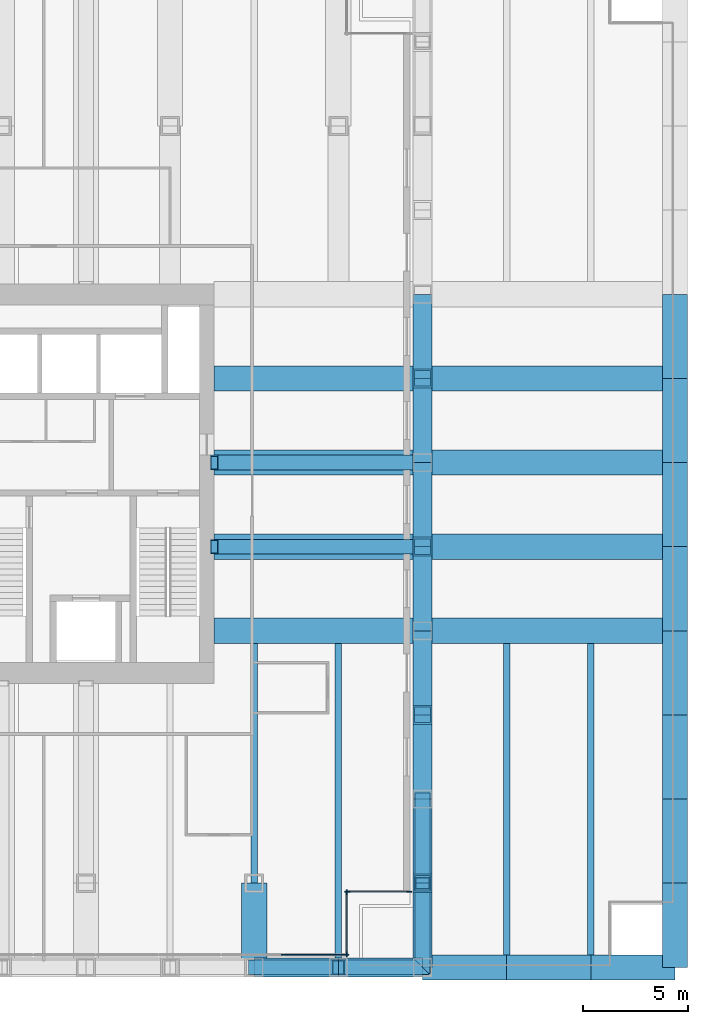
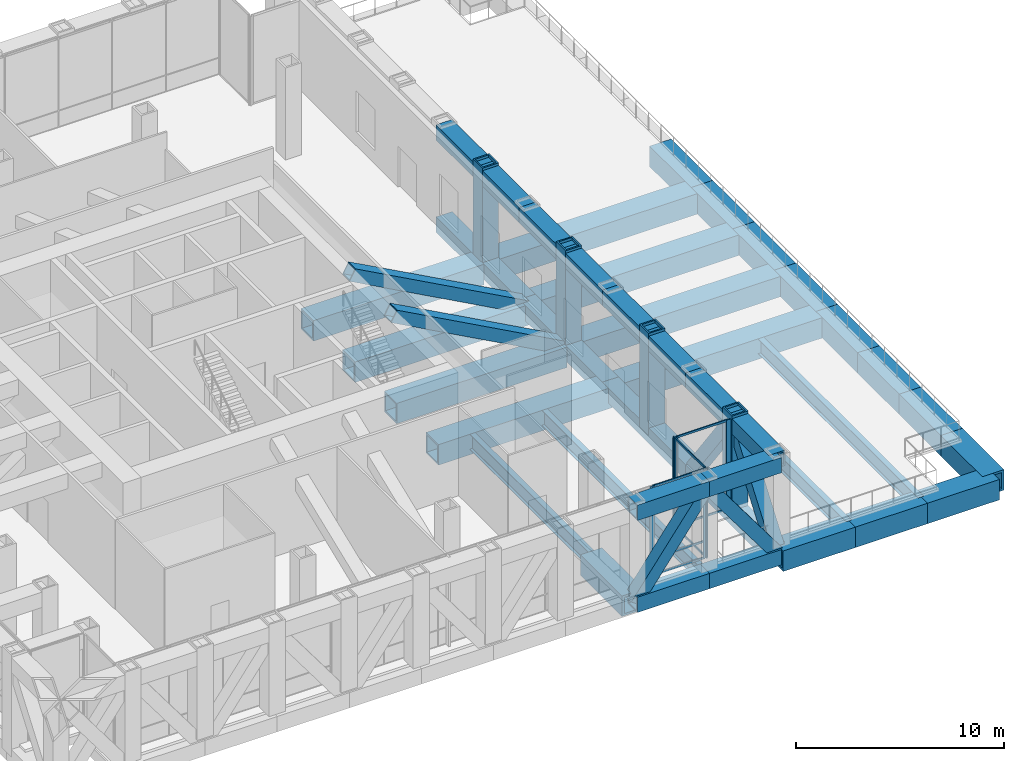
# One storey, part 5 of 13: 40 beams, 23 members, 3 elements without a shape of their own.
"""IFC4 building model written with IfcOpenShell, lengths in metres."""

from ifc_helpers import new_model, si_unit, direction, frame, origin, origin_2d, place, context, subcontext, project, spatial, rectangle, hollow_rectangle, i_section, extrude, material, material_profile, profile_set, type_object, element, aggregate, save


model = new_model("IFC4")

# Units and contexts
model_context = context("Model", 3, precision=1e-05, world=origin(), true_north=direction((0.0, 1.0)))
body_context = subcontext(model_context, "Body", "Model", "MODEL_VIEW")
ifc_project = project(units=[si_unit("LENGTHUNIT", "METRE"), si_unit("AREAUNIT", "SQUARE_METRE"), si_unit("VOLUMEUNIT", "CUBIC_METRE"), si_unit("PLANEANGLEUNIT", "RADIAN"), si_unit("MASSUNIT", "GRAM", prefix="KILO")], contexts=[model_context])

# Site, building, storey
site_placement = place(None, origin())
site = spatial("IfcSite", under=ifc_project, at=site_placement, CompositionType="ELEMENT")
building_placement = place(site_placement, origin())
building = spatial("IfcBuilding", under=site, at=building_placement, Name="Rimbunsela Tower", CompositionType="ELEMENT")
storey_placement = place(building_placement, frame((0.0, 0.0, 137.39990234375)))
storey = spatial("IfcBuildingStorey", under=building, at=storey_placement, Name="L33", CompositionType="ELEMENT", Elevation=137.39990234375)

# Beams
ifc_material_1 = material(Name="Steel BJ 55 (fy 410 MPa)", Category="steel")
ifc_material_profile_1 = material_profile(ifc_material_1, hollow_rectangle(XDim=1.199951171875, YDim=1.199951171875, WallThickness=0.10009765625, at=origin_2d()), Name="BOX 1200x1200x100")
ifc_profile_set_1 = profile_set([ifc_material_profile_1], Name="Steel BJ 55 (fy 410 MPa)")
beam_type_1 = type_object("IfcBeamType", Name="Beam BOX 1200x1200x100", PredefinedType="BEAM", material=ifc_profile_set_1)
beam_1_placement = place(storey_placement, frame((36.10009765625, 20.0, -0.75), z_axis=(1.0, 0.0, 0.0), x_axis=(0.0, 1.0, 0.0)))
element("IfcBeam", 1, at=beam_1_placement, inside=storey, type_object=beam_type_1, Name="Beam B5 L33", PredefinedType="BEAM", context=body_context, shape_type="SweptSolid", body=[
    extrude(hollow_rectangle(XDim=1.199951171875, YDim=1.199951171875, WallThickness=0.10009765625, at=origin_2d()), origin(), (0.0, 0.0, 1.0), 9.89990234375),
])
beam_2_placement = place(storey_placement, frame((36.10009765625, 24.0, -0.75), z_axis=(1.0, 0.0, 0.0), x_axis=(0.0, 1.0, 0.0)))
element("IfcBeam", 2, at=beam_2_placement, inside=storey, type_object=beam_type_1, Name="Beam B5 L33", PredefinedType="BEAM", context=body_context, shape_type="SweptSolid", body=[
    extrude(hollow_rectangle(XDim=1.199951171875, YDim=1.199951171875, WallThickness=0.10009765625, at=origin_2d()), origin(), (0.0, 0.0, 1.0), 9.449951171875),
])
beam_3_placement = place(storey_placement, frame((36.10009765625, 28.0, -0.75), z_axis=(1.0, 0.0, 0.0), x_axis=(0.0, 1.0, 0.0)))
element("IfcBeam", 3, at=beam_3_placement, inside=storey, type_object=beam_type_1, Name="Beam B5 L33", PredefinedType="BEAM", context=body_context, shape_type="SweptSolid", body=[
    extrude(hollow_rectangle(XDim=1.199951171875, YDim=1.199951171875, WallThickness=0.10009765625, at=origin_2d()), origin(), (0.0, 0.0, 1.0), 9.89990234375),
])
beam_4_placement = place(storey_placement, frame((36.10009765625, 32.0, -0.75), z_axis=(1.0, 0.0, 0.0), x_axis=(0.0, 1.0, 0.0)))
element("IfcBeam", 4, at=beam_4_placement, inside=storey, type_object=beam_type_1, Name="Beam B5 L33", PredefinedType="BEAM", context=body_context, shape_type="SweptSolid", body=[
    extrude(hollow_rectangle(XDim=1.199951171875, YDim=1.199951171875, WallThickness=0.10009765625, at=origin_2d()), origin(), (0.0, 0.0, 1.0), 9.449951171875),
])
beam_5_placement = place(storey_placement, frame((46.0, 20.0, -0.75), z_axis=(1.0, 0.0, 0.0), x_axis=(0.0, 1.0, 0.0)))
element("IfcBeam", 5, at=beam_5_placement, inside=storey, type_object=beam_type_1, Name="Beam B5 L33", PredefinedType="BEAM", context=body_context, shape_type="SweptSolid", body=[
    extrude(hollow_rectangle(XDim=1.199951171875, YDim=1.199951171875, WallThickness=0.10009765625, at=origin_2d()), origin(), (0.0, 0.0, 1.0), 12.0),
])
beam_6_placement = place(storey_placement, frame((46.449951171875, 24.0, -0.75), z_axis=(1.0, 0.0, 0.0), x_axis=(0.0, 1.0, 0.0)))
element("IfcBeam", 6, at=beam_6_placement, inside=storey, type_object=beam_type_1, Name="Beam B5 L33", PredefinedType="BEAM", context=body_context, shape_type="SweptSolid", body=[
    extrude(hollow_rectangle(XDim=1.199951171875, YDim=1.199951171875, WallThickness=0.10009765625, at=origin_2d()), origin(), (0.0, 0.0, 1.0), 11.550048828125),
])
beam_7_placement = place(storey_placement, frame((46.0, 28.0, -0.75), z_axis=(1.0, 0.0, 0.0), x_axis=(0.0, 1.0, 0.0)))
element("IfcBeam", 7, at=beam_7_placement, inside=storey, type_object=beam_type_1, Name="Beam B5 L33", PredefinedType="BEAM", context=body_context, shape_type="SweptSolid", body=[
    extrude(hollow_rectangle(XDim=1.199951171875, YDim=1.199951171875, WallThickness=0.10009765625, at=origin_2d()), origin(), (0.0, 0.0, 1.0), 12.0),
])
beam_8_placement = place(storey_placement, frame((46.449951171875, 32.0, -0.75), z_axis=(1.0, 0.0, 0.0), x_axis=(0.0, 1.0, 0.0)))
element("IfcBeam", 8, at=beam_8_placement, inside=storey, type_object=beam_type_1, Name="Beam B5 L33", PredefinedType="BEAM", context=body_context, shape_type="SweptSolid", body=[
    extrude(hollow_rectangle(XDim=1.199951171875, YDim=1.199951171875, WallThickness=0.10009765625, at=origin_2d()), origin(), (0.0, 0.0, 1.0), 11.550048828125),
])
ifc_material_2 = material(Name="Steel BJ 55 (fy 410 MPa)", Category="steel")
ifc_material_profile_2 = material_profile(ifc_material_2, hollow_rectangle(XDim=1.199951171875, YDim=1.199951171875, WallThickness=0.125, at=origin_2d()), Name="BOX 1200x1200x125")
ifc_profile_set_2 = profile_set([ifc_material_profile_2], Name="Steel BJ 55 (fy 410 MPa)")
beam_type_2 = type_object("IfcBeamType", Name="Beam BOX 1200x1200x125", PredefinedType="BEAM", material=ifc_profile_set_2)
for number, where, z_axis, x_axis, name in (
    (9, (38.0, 4.0, -0.75), (0.0, 1.0, 0.0), (-1.0, 0.0, 0.0), "Beam B4 L33"),
    (10, (46.0, 4.0, -0.75), (1.0, 0.0, 0.0), (0.0, 1.0, 0.0), "Beam B4 L33"),
    (11, (50.0, 4.0, -0.75), (1.0, 0.0, 0.0), (0.0, 1.0, 0.0), "Beam B4 L33"),
    (12, (54.0, 4.0, -0.75), (1.0, 0.0, 0.0), (0.0, 1.0, 0.0), "Beam B4 L33"),
    (13, (58.0, 4.0, -0.75), (0.0, 1.0, 0.0), (-1.0, 0.0, 0.0), "Beam B4 L33"),
    (14, (58.0, 8.0, -0.75), (0.0, 1.0, 0.0), (-1.0, 0.0, 0.0), "Beam B4 L33"),
    (15, (58.0, 12.0, -0.75), (0.0, 1.0, 0.0), (-1.0, 0.0, 0.0), "Beam B4 L33"),
    (16, (58.0, 16.0, -0.75), (0.0, 1.0, 0.0), (-1.0, 0.0, 0.0), "Beam B4 L33"),
    (17, (58.0, 20.0, -0.75), (0.0, 1.0, 0.0), (-1.0, 0.0, 0.0), "Beam B4 L33"),
    (18, (58.0, 24.0, -0.75), (0.0, 1.0, 0.0), (-1.0, 0.0, 0.0), "Beam B4 L33"),
    (19, (58.0, 28.0, -0.75), (0.0, 1.0, 0.0), (-1.0, 0.0, 0.0), "Beam B4 L33"),
    (20, (58.0, 32.0, -0.75), (0.0, 1.0, 0.0), (-1.0, 0.0, 0.0), "Beam B4 L33"),
):
    element("IfcBeam", number, at=place(storey_placement, frame(where, z_axis=z_axis, x_axis=x_axis)), inside=storey, type_object=beam_type_2, Name=name, PredefinedType="BEAM", context=body_context, shape_type="SweptSolid", body=[
        extrude(hollow_rectangle(XDim=1.199951171875, YDim=1.199951171875, WallThickness=0.125, at=origin_2d()), origin(), (0.0, 0.0, 1.0), 4.0),
    ])
ifc_material_3 = material(Name="Steel BJ 55 (fy 410 MPa)", Category="steel")
ifc_material_profile_3 = material_profile(ifc_material_3, i_section(OverallWidth=0.300048828125, OverallDepth=0.89990234375, WebThickness=0.01611328125, FlangeThickness=0.028076171875, FilletRadius=0.028076171875, at=origin_2d()), Name="H 900x300x16x28")
ifc_profile_set_3 = profile_set([ifc_material_profile_3], Name="Steel BJ 55 (fy 410 MPa)")
beam_type_3 = type_object("IfcBeamType", Name="Beam H 900x300x16x28", PredefinedType="BEAM", material=ifc_profile_set_3)
beam_9_placement = place(storey_placement, frame((38.0, 8.0, -0.599853515625), z_axis=(0.0, 1.0, 0.0), x_axis=(-1.0, 0.0, 0.0)))
element("IfcBeam", 21, at=beam_9_placement, inside=storey, type_object=beam_type_3, Name="Beam B2 L33", PredefinedType="BEAM", context=body_context, shape_type="SweptSolid", body=[
    extrude(i_section(OverallWidth=0.300048828125, OverallDepth=0.89990234375, WebThickness=0.01611328125, FlangeThickness=0.028076171875, FilletRadius=0.028076171875, at=origin_2d()), origin(), (0.0, 0.0, 1.0), 11.39990234375),
])
for number, where, z_axis, x_axis, name in (
    (22, (42.0, 4.0, -0.599853515625), (0.0, 1.0, 0.0), (-1.0, 0.0, 0.0), "Beam B2 L33"),
    (23, (50.0, 4.0, -0.599853515625), (0.0, 1.0, 0.0), (-1.0, 0.0, 0.0), "Beam B2 L33"),
    (24, (54.0, 4.0, -0.599853515625), (0.0, 1.0, 0.0), (-1.0, 0.0, 0.0), "Beam B2 L33"),
):
    element("IfcBeam", number, at=place(storey_placement, frame(where, z_axis=z_axis, x_axis=x_axis)), inside=storey, type_object=beam_type_3, Name=name, PredefinedType="BEAM", context=body_context, shape_type="SweptSolid", body=[
        extrude(i_section(OverallWidth=0.300048828125, OverallDepth=0.89990234375, WebThickness=0.01611328125, FlangeThickness=0.028076171875, FilletRadius=0.028076171875, at=origin_2d()), origin(), (0.0, 0.0, 1.0), 15.39990234375),
    ])

# Curtain wall, members
ifc_material_4 = material(Name="Aluminium curtain wall", Category="aluminium")
curtain_wall_type_1 = type_object("IfcCurtainWallType", Name="Corner glazing", PredefinedType="USERDEFINED", material=ifc_material_4)
curtain_wall_1_placement = place(storey_placement, origin())
curtain_wall_1 = element("IfcCurtainWall", 25, at=curtain_wall_1_placement, inside=storey, type_object=curtain_wall_type_1, Name="Corner glazing L33", ObjectType="CORNER GLAZING", PredefinedType="USERDEFINED")
ifc_material_5 = material(Name="Aluminium mullion", Category="aluminium")
ifc_material_profile_4 = material_profile(ifc_material_5, rectangle(XDim=0.06005859375, YDim=0.25, at=origin_2d()), Name="Mullion 60x250")
ifc_profile_set_4 = profile_set([ifc_material_profile_4], Name="Aluminium mullion")
member_type_1 = type_object("IfcMemberType", Name="Curtain wall mullion 60x250", PredefinedType="MULLION", material=ifc_profile_set_4)
member_1_placement = place(storey_placement, frame((42.39990234375, 4.6298828125, 0.0), z_axis=(0.0, 0.0, 1.0), x_axis=(-1.0, 0.0, 0.0)))
member_1 = element("IfcMember", 26, at=member_1_placement, type_object=member_type_1, Name="CW5 mullion 1", PredefinedType="MULLION", context=body_context, shape_type="SweptSolid", body=[
    extrude(rectangle(XDim=0.06005859375, YDim=0.25, at=origin_2d()), origin(), (0.0, 0.0, 1.0), 5.25),
])
member_2_placement = place(storey_placement, frame((42.39990234375, 7.570068359375, 0.0), z_axis=(0.0, 0.0, 1.0), x_axis=(-1.0, 0.0, 0.0)))
member_2 = element("IfcMember", 27, at=member_2_placement, type_object=member_type_1, Name="CW5 mullion 2", PredefinedType="MULLION", context=body_context, shape_type="SweptSolid", body=[
    extrude(rectangle(XDim=0.06005859375, YDim=0.25, at=origin_2d()), origin(), (0.0, 0.0, 1.0), 5.25),
])

curtain_wall_2_placement = place(storey_placement, origin())
curtain_wall_2 = element("IfcCurtainWall", 28, at=curtain_wall_2_placement, inside=storey, type_object=curtain_wall_type_1, Name="Corner glazing L33", ObjectType="CORNER GLAZING", PredefinedType="USERDEFINED")
member_3_placement = place(storey_placement, frame((42.429931640625, 7.60009765625, 0.0), z_axis=(0.0, 0.0, 1.0), x_axis=(0.0, 1.0, 0.0)))
member_3 = element("IfcMember", 29, at=member_3_placement, type_object=member_type_1, Name="CW5 mullion 1", PredefinedType="MULLION", context=body_context, shape_type="SweptSolid", body=[
    extrude(rectangle(XDim=0.06005859375, YDim=0.25, at=origin_2d()), origin(), (0.0, 0.0, 1.0), 5.25),
])
member_4_placement = place(storey_placement, frame((45.3701171875, 7.60009765625, 0.0), z_axis=(0.0, 0.0, 1.0), x_axis=(0.0, 1.0, 0.0)))
member_4 = element("IfcMember", 30, at=member_4_placement, type_object=member_type_1, Name="CW5 mullion 2", PredefinedType="MULLION", context=body_context, shape_type="SweptSolid", body=[
    extrude(rectangle(XDim=0.06005859375, YDim=0.25, at=origin_2d()), origin(), (0.0, 0.0, 1.0), 5.25),
])

ifc_material_6 = material(Name="Aluminium curtain wall", Category="aluminium")
curtain_wall_type_2 = type_object("IfcCurtainWallType", Name="Plant floor louvre wall", PredefinedType="USERDEFINED", material=ifc_material_6)
curtain_wall_3_placement = place(storey_placement, origin())
curtain_wall_3 = element("IfcCurtainWall", 31, at=curtain_wall_3_placement, inside=storey, type_object=curtain_wall_type_2, Name="Plant floor louvre wall L33", ObjectType="PLANT FLOOR LOUVRE WALL", PredefinedType="USERDEFINED")
member_5_placement = place(storey_placement, frame((39.418212890625, 4.60009765625, 0.0), z_axis=(0.0, 0.0, 1.0), x_axis=(0.0, 1.0, 0.0)))
member_5 = element("IfcMember", 32, at=member_5_placement, type_object=member_type_1, Name="CW3 mullion 11", PredefinedType="MULLION", context=body_context, shape_type="SweptSolid", body=[
    extrude(rectangle(XDim=0.06005859375, YDim=0.25, at=origin_2d()), origin(), (0.0, 0.0, 1.0), 5.25),
])
member_6_placement = place(storey_placement, frame((42.3701171875, 4.60009765625, 0.0), z_axis=(0.0, 0.0, 1.0), x_axis=(0.0, 1.0, 0.0)))
member_6 = element("IfcMember", 33, at=member_6_placement, type_object=member_type_1, Name="CW3 mullion 12", PredefinedType="MULLION", context=body_context, shape_type="SweptSolid", body=[
    extrude(rectangle(XDim=0.06005859375, YDim=0.25, at=origin_2d()), origin(), (0.0, 0.0, 1.0), 5.25),
])

# Member
ifc_material_7 = material(Name="Aluminium transom", Category="aluminium")
ifc_material_profile_5 = material_profile(ifc_material_7, rectangle(XDim=0.06005859375, YDim=0.1201171875, at=origin_2d()), Name="Transom 60x120")
ifc_profile_set_5 = profile_set([ifc_material_profile_5], Name="Aluminium transom")
member_type_2 = type_object("IfcMemberType", Name="Curtain wall transom 60x120", PredefinedType="USERDEFINED", material=ifc_profile_set_5)
member_7_placement = place(storey_placement, frame((42.39990234375, 4.659912109375, 0.030029296875), z_axis=(0.0, 1.0, 0.0), x_axis=(-1.0, 0.0, 0.0)))
member_7 = element("IfcMember", 34, at=member_7_placement, type_object=member_type_2, Name="CW5 transom 1.1", ObjectType="TRANSOM", PredefinedType="USERDEFINED", context=body_context, shape_type="SweptSolid", body=[
    extrude(rectangle(XDim=0.06005859375, YDim=0.1201171875, at=origin_2d()), origin(), (0.0, 0.0, 1.0), 2.880126953125),
])

member_8_placement = place(storey_placement, frame((42.39990234375, 4.659912109375, 5.22021484375), z_axis=(0.0, 1.0, 0.0), x_axis=(-1.0, 0.0, 0.0)))
member_8 = element("IfcMember", 35, at=member_8_placement, type_object=member_type_2, Name="CW5 transom 1.2", ObjectType="TRANSOM", PredefinedType="USERDEFINED", context=body_context, shape_type="SweptSolid", body=[
    extrude(rectangle(XDim=0.06005859375, YDim=0.1201171875, at=origin_2d()), origin(), (0.0, 0.0, 1.0), 2.880126953125),
])

aggregate(curtain_wall_1, [member_1, member_2, member_7, member_8])

member_9_placement = place(storey_placement, frame((42.4599609375, 7.60009765625, 0.030029296875), z_axis=(1.0, 0.0, 0.0), x_axis=(0.0, 1.0, 0.0)))
member_9 = element("IfcMember", 36, at=member_9_placement, type_object=member_type_2, Name="CW5 transom 1.1", ObjectType="TRANSOM", PredefinedType="USERDEFINED", context=body_context, shape_type="SweptSolid", body=[
    extrude(rectangle(XDim=0.06005859375, YDim=0.1201171875, at=origin_2d()), origin(), (0.0, 0.0, 1.0), 2.880126953125),
])

member_10_placement = place(storey_placement, frame((42.4599609375, 7.60009765625, 5.22021484375), z_axis=(1.0, 0.0, 0.0), x_axis=(0.0, 1.0, 0.0)))
member_10 = element("IfcMember", 37, at=member_10_placement, type_object=member_type_2, Name="CW5 transom 1.2", ObjectType="TRANSOM", PredefinedType="USERDEFINED", context=body_context, shape_type="SweptSolid", body=[
    extrude(rectangle(XDim=0.06005859375, YDim=0.1201171875, at=origin_2d()), origin(), (0.0, 0.0, 1.0), 2.880126953125),
])

aggregate(curtain_wall_2, [member_3, member_4, member_9, member_10])

member_11_placement = place(storey_placement, frame((39.4482421875, 4.60009765625, 0.030029296875), z_axis=(1.0, 0.0, 0.0), x_axis=(0.0, 1.0, 0.0)))
member_11 = element("IfcMember", 38, at=member_11_placement, type_object=member_type_2, Name="CW3 transom 11.1", ObjectType="TRANSOM", PredefinedType="USERDEFINED", context=body_context, shape_type="SweptSolid", body=[
    extrude(rectangle(XDim=0.06005859375, YDim=0.1201171875, at=origin_2d()), origin(), (0.0, 0.0, 1.0), 2.891845703125),
])

member_12_placement = place(storey_placement, frame((39.4482421875, 4.60009765625, 1.0), z_axis=(1.0, 0.0, 0.0), x_axis=(0.0, 1.0, 0.0)))
member_12 = element("IfcMember", 39, at=member_12_placement, type_object=member_type_2, Name="CW3 transom 11.2", ObjectType="TRANSOM", PredefinedType="USERDEFINED", context=body_context, shape_type="SweptSolid", body=[
    extrude(rectangle(XDim=0.06005859375, YDim=0.1201171875, at=origin_2d()), origin(), (0.0, 0.0, 1.0), 2.891845703125),
])

member_13_placement = place(storey_placement, frame((39.4482421875, 4.60009765625, 5.22021484375), z_axis=(1.0, 0.0, 0.0), x_axis=(0.0, 1.0, 0.0)))
member_13 = element("IfcMember", 40, at=member_13_placement, type_object=member_type_2, Name="CW3 transom 11.3", ObjectType="TRANSOM", PredefinedType="USERDEFINED", context=body_context, shape_type="SweptSolid", body=[
    extrude(rectangle(XDim=0.06005859375, YDim=0.1201171875, at=origin_2d()), origin(), (0.0, 0.0, 1.0), 2.891845703125),
])

aggregate(curtain_wall_3, [member_5, member_6, member_11, member_12, member_13])

# Members
ifc_material_8 = material(Name="Steel BJ 55 (fy 410 MPa)", Category="steel")
ifc_material_profile_6 = material_profile(ifc_material_8, hollow_rectangle(XDim=0.699951171875, YDim=0.699951171875, WallThickness=0.050048828125, at=origin_2d()), Name="BOX 700x700x50")
ifc_profile_set_6 = profile_set([ifc_material_profile_6], Name="Steel BJ 55 (fy 410 MPa)")
member_type_3 = type_object("IfcMemberType", Name="Outrigger brace BOX 700x700x50", PredefinedType="BRACE", material=ifc_profile_set_6)
for number, where, z_axis, x_axis, name in (
    (41, (46.0, 28.0, -0.599853515625), (-0.877897227667, 0.0, 0.478849096955), (0.0, -1.0, 0.0), "Outrigger brace OB2 E L33"),
    (42, (46.0, 24.0, -0.599853515625), (-0.877897227667, 0.0, 0.478849096955), (0.0, -1.0, 0.0), "Outrigger brace OB2 E L33"),
):
    element("IfcMember", number, at=place(storey_placement, frame(where, z_axis=z_axis, x_axis=x_axis)), inside=storey, type_object=member_type_3, Name=name, PredefinedType="BRACE", context=body_context, shape_type="SweptSolid", body=[
        extrude(hollow_rectangle(XDim=0.699951171875, YDim=0.699951171875, WallThickness=0.050048828125, at=origin_2d()), origin(), (0.0, 0.0, 1.0), 11.27685546875),
    ])

# Beams
ifc_material_9 = material(Name="Steel BJ 55 (fy 410 MPa)", Category="steel")
ifc_material_profile_7 = material_profile(ifc_material_9, hollow_rectangle(XDim=0.89990234375, YDim=0.89990234375, WallThickness=0.080078125, at=origin_2d()), Name="BOX 900x900x80")
ifc_profile_set_7 = profile_set([ifc_material_profile_7], Name="Steel BJ 55 (fy 410 MPa)")
beam_type_4 = type_object("IfcBeamType", Name="Truss chord BOX 900x900x80", PredefinedType="USERDEFINED", material=ifc_profile_set_7)
for number, where, z_axis, x_axis, name in (
    (43, (38.0, 4.0, 4.800048828125), (1.0, 0.0, 0.0), (0.0, 1.0, 0.0), "Truss top chord TC3 S face L33"),
    (44, (42.0, 4.0, 4.800048828125), (1.0, 0.0, 0.0), (0.0, 1.0, 0.0), "Truss top chord TC3 S face L33"),
    (45, (46.0, 4.0, 4.800048828125), (0.0, 1.0, 0.0), (-1.0, 0.0, 0.0), "Truss top chord TC3 E face L33"),
    (46, (46.0, 8.0, 4.800048828125), (0.0, 1.0, 0.0), (-1.0, 0.0, 0.0), "Truss top chord TC3 E face L33"),
    (47, (46.0, 12.0, 4.800048828125), (0.0, 1.0, 0.0), (-1.0, 0.0, 0.0), "Truss top chord TC3 E face L33"),
    (48, (46.0, 16.0, 4.800048828125), (0.0, 1.0, 0.0), (-1.0, 0.0, 0.0), "Truss top chord TC3 E face L33"),
    (49, (46.0, 20.0, 4.800048828125), (0.0, 1.0, 0.0), (-1.0, 0.0, 0.0), "Truss top chord TC3 E face L33"),
    (50, (46.0, 24.0, 4.800048828125), (0.0, 1.0, 0.0), (-1.0, 0.0, 0.0), "Truss top chord TC3 E face L33"),
    (51, (46.0, 28.0, 4.800048828125), (0.0, 1.0, 0.0), (-1.0, 0.0, 0.0), "Truss top chord TC3 E face L33"),
    (52, (46.0, 32.0, 4.800048828125), (0.0, 1.0, 0.0), (-1.0, 0.0, 0.0), "Truss top chord TC3 E face L33"),
    (53, (38.0, 4.0, -0.599853515625), (1.0, 0.0, 0.0), (0.0, 1.0, 0.0), "Truss bottom chord TC3 S face L33"),
    (54, (42.0, 4.0, -0.599853515625), (1.0, 0.0, 0.0), (0.0, 1.0, 0.0), "Truss bottom chord TC3 S face L33"),
):
    element("IfcBeam", number, at=place(storey_placement, frame(where, z_axis=z_axis, x_axis=x_axis)), inside=storey, type_object=beam_type_4, Name=name, ObjectType="TRUSS CHORD", PredefinedType="USERDEFINED", context=body_context, shape_type="SweptSolid", body=[
        extrude(hollow_rectangle(XDim=0.89990234375, YDim=0.89990234375, WallThickness=0.080078125, at=origin_2d()), origin(), (0.0, 0.0, 1.0), 4.0),
    ])
for number, where, z_axis, x_axis, name in (
    (55, (46.0, 4.0, -0.599853515625), (0.0, 1.0, 0.0), (-1.0, 0.0, 0.0), "Truss bottom chord TC3 E face L33"),
    (56, (46.0, 12.0, -0.599853515625), (0.0, 1.0, 0.0), (-1.0, 0.0, 0.0), "Truss bottom chord TC3 E face L33"),
    (57, (46.0, 20.0, -0.599853515625), (0.0, 1.0, 0.0), (-1.0, 0.0, 0.0), "Truss bottom chord TC3 E face L33"),
    (58, (46.0, 28.0, -0.599853515625), (0.0, 1.0, 0.0), (-1.0, 0.0, 0.0), "Truss bottom chord TC3 E face L33"),
):
    element("IfcBeam", number, at=place(storey_placement, frame(where, z_axis=z_axis, x_axis=x_axis)), inside=storey, type_object=beam_type_4, Name=name, ObjectType="TRUSS CHORD", PredefinedType="USERDEFINED", context=body_context, shape_type="SweptSolid", body=[
        extrude(hollow_rectangle(XDim=0.89990234375, YDim=0.89990234375, WallThickness=0.080078125, at=origin_2d()), origin(), (0.0, 0.0, 1.0), 8.0),
    ])

# Members
ifc_material_10 = material(Name="Steel BJ 55 (fy 410 MPa)", Category="steel")
ifc_material_profile_8 = material_profile(ifc_material_10, hollow_rectangle(XDim=0.699951171875, YDim=0.699951171875, WallThickness=0.0400390625, at=origin_2d()), Name="BOX 700x700x40")
ifc_profile_set_8 = profile_set([ifc_material_profile_8], Name="Steel BJ 55 (fy 410 MPa)")
member_type_4 = type_object("IfcMemberType", Name="Truss diagonal BOX 700x700x40", PredefinedType="BRACE", material=ifc_profile_set_8)
for number, where, z_axis, x_axis, name in (
    (59, (38.0, 4.0, -0.599853515625), (0.595234501294, 0.0, 0.803552044655), (0.0, 1.0, 0.0), "Truss diagonal TD3 S face L33"),
    (60, (42.0, 4.0, 4.800048828125), (0.595234501294, 0.0, -0.803552044655), (0.0, 1.0, 0.0), "Truss diagonal TD3 S face L33"),
    (61, (46.0, 4.0, -0.599853515625), (0.0, 0.595234501294, 0.803552044655), (-1.0, 0.0, 0.0), "Truss diagonal TD3 E face L33"),
    (62, (46.0, 8.0, 4.800048828125), (0.0, 0.595234501294, -0.803552044655), (-1.0, 0.0, 0.0), "Truss diagonal TD3 E face L33"),
):
    element("IfcMember", number, at=place(storey_placement, frame(where, z_axis=z_axis, x_axis=x_axis)), inside=storey, type_object=member_type_4, Name=name, PredefinedType="BRACE", context=body_context, shape_type="SweptSolid", body=[
        extrude(hollow_rectangle(XDim=0.699951171875, YDim=0.699951171875, WallThickness=0.0400390625, at=origin_2d()), origin(), (0.0, 0.0, 1.0), 6.719970703125),
    ])
ifc_material_11 = material(Name="Steel BJ 55 (fy 410 MPa)", Category="steel")
ifc_material_profile_9 = material_profile(ifc_material_11, hollow_rectangle(XDim=0.89990234375, YDim=0.89990234375, WallThickness=0.080078125, at=origin_2d()), Name="BOX 900x900x80")
ifc_profile_set_9 = profile_set([ifc_material_profile_9], Name="Steel BJ 55 (fy 410 MPa)")
member_type_5 = type_object("IfcMemberType", Name="Truss post BOX 900x900x80", PredefinedType="POST", material=ifc_profile_set_9)
for number, where, z_axis, x_axis, name in (
    (63, (46.0, 8.0, -0.599853515625), (0.0, 0.0, 1.0), (1.0, 0.0, 0.0), "Truss post TP3 14/D L33"),
    (64, (46.0, 16.0, -0.599853515625), (0.0, 0.0, 1.0), (1.0, 0.0, 0.0), "Truss post TP3 14/F L33"),
    (65, (46.0, 24.0, -0.599853515625), (0.0, 0.0, 1.0), (1.0, 0.0, 0.0), "Truss post TP3 14/H L33"),
    (66, (46.0, 32.0, -0.599853515625), (0.0, 0.0, 1.0), (1.0, 0.0, 0.0), "Truss post TP3 14/K L33"),
):
    element("IfcMember", number, at=place(storey_placement, frame(where, z_axis=z_axis, x_axis=x_axis)), inside=storey, type_object=member_type_5, Name=name, PredefinedType="POST", context=body_context, shape_type="SweptSolid", body=[
        extrude(hollow_rectangle(XDim=0.89990234375, YDim=0.89990234375, WallThickness=0.080078125, at=origin_2d()), origin(), (0.0, 0.0, 1.0), 6.0),
    ])

save(model, "model.ifc")
